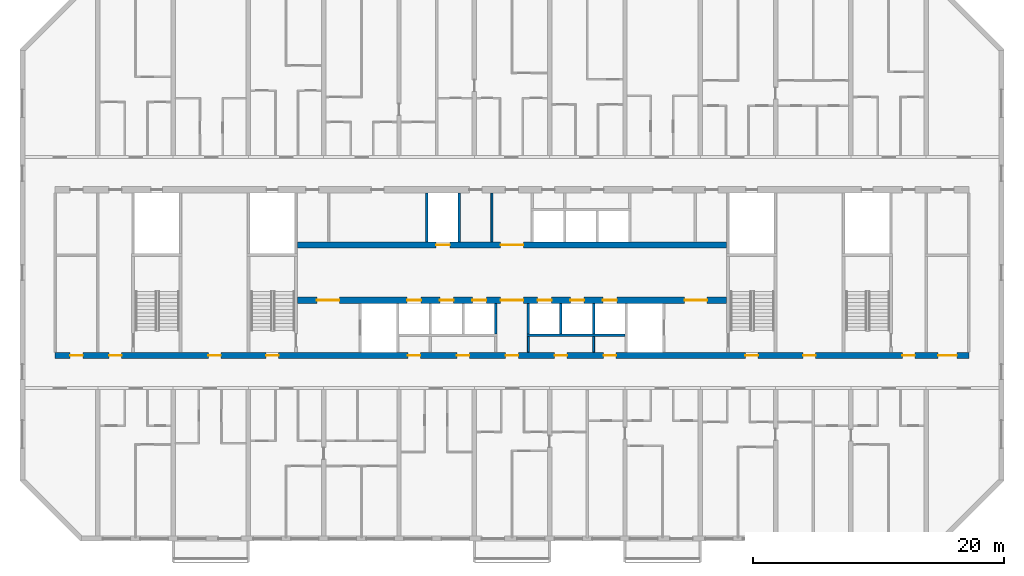
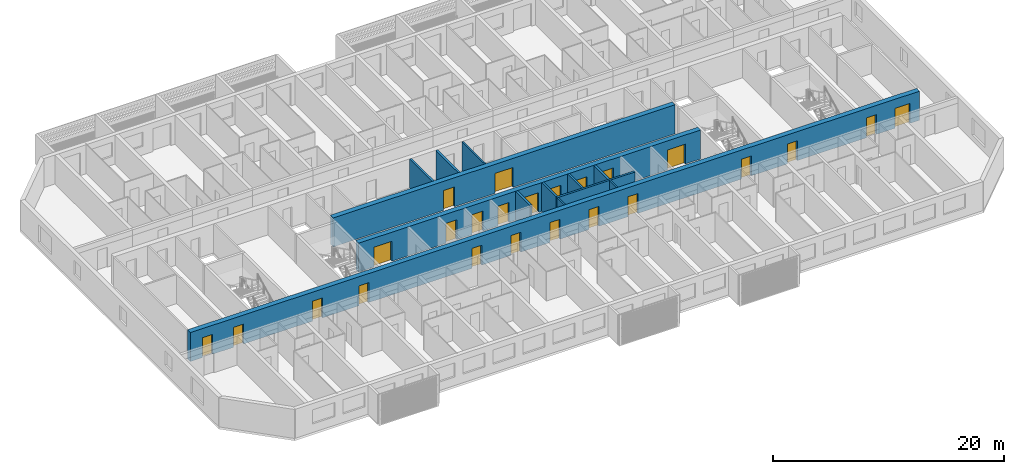
# One storey, part 7 of 24: 24 doors, 13 walls, 24 openings.
"""IFC4 building model written with IfcOpenShell, lengths in metres."""

from ifc_helpers import new_model, si_unit, direction, frame, frame_2d, origin, place, context, subcontext, project, spatial, rectangle, extrude, material, layer, layer_set, type_object, element, fill, save


model = new_model("IFC4")

# Units and contexts
model_context = context("Model", 3, precision=1e-05, world=origin(), true_north=direction((0.0, 1.0)))
body_context = subcontext(model_context, "Body", "Model", "MODEL_VIEW")
ifc_project = project(units=[si_unit("LENGTHUNIT", "METRE"), si_unit("AREAUNIT", "SQUARE_METRE"), si_unit("VOLUMEUNIT", "CUBIC_METRE"), si_unit("PLANEANGLEUNIT", "RADIAN"), si_unit("MASSUNIT", "GRAM", prefix="KILO")], contexts=[model_context])

# Site, building, storey
site_placement = place(None, origin())
site = spatial("IfcSite", under=ifc_project, at=site_placement, CompositionType="ELEMENT")
building_placement = place(site_placement, origin())
building = spatial("IfcBuilding", under=site, at=building_placement, Name="Poui Terraces", CompositionType="ELEMENT")
storey_placement = place(building_placement, frame((0.0, 0.0, 109.199951171875)))
storey = spatial("IfcBuildingStorey", under=building, at=storey_placement, Name="L30", CompositionType="ELEMENT", Elevation=109.199951171875)

# Wall, openings, doors
ifc_material_1 = material(Name="Concrete 65 MPa", Category="concrete")
ifc_layer_1 = layer(ifc_material_1, 0.5)
ifc_layer_set_1 = layer_set([ifc_layer_1], Name="Concrete 65 MPa")
wall_type_1 = type_object("IfcWallType", Name="CORE WALL 500 65 MPA", PredefinedType="SOLIDWALL", material=ifc_layer_set_1)
wall_1_placement = place(storey_placement, frame((33.925048828125, 19.0, 0.0), z_axis=(0.0, 0.0, 1.0), x_axis=(1.0, 0.0, 0.0)))
wall_1 = element("IfcWall", 1, at=wall_1_placement, inside=storey, type_object=wall_type_1, Name="CORE WALL", PredefinedType="SOLIDWALL", context=body_context, shape_type="SweptSolid", body=[
    extrude(rectangle(XDim=34.14990234375, YDim=0.5, at=frame_2d((17.074951171875, 0.0))), origin(), (0.0, 0.0, 1.0), 3.06005859375),
])
opening_1_placement = place(wall_1_placement, frame((16.175048828125, 0.0, 0.0)))
opening_1 = element("IfcOpeningElement", 2, at=opening_1_placement, cuts=wall_1, Name="Opening FDD60", PredefinedType="OPENING", context=body_context, shape_type="SweptSolid", body=[
    extrude(rectangle(XDim=1.800048828125, YDim=2.10009765625, at=frame_2d((0.89990234375, 1.050048828125))), frame((0.0, 0.260009765625, 0.0), z_axis=(0.0, -1.0, 0.0), x_axis=(1.0, 0.0, 0.0)), (0.0, 0.0, 1.0), 0.52001953125),
])
opening_2_placement = place(wall_1_placement, frame((1.52490234375, 0.0, 0.0)))
opening_2 = element("IfcOpeningElement", 3, at=opening_2_placement, cuts=wall_1, Name="Opening FDD60", PredefinedType="OPENING", context=body_context, shape_type="SweptSolid", body=[
    extrude(rectangle(XDim=1.800048828125, YDim=2.10009765625, at=frame_2d((0.89990234375, 1.050048828125))), frame((0.0, 0.260009765625, 0.0), z_axis=(0.0, -1.0, 0.0), x_axis=(1.0, 0.0, 0.0)), (0.0, 0.0, 1.0), 0.52001953125),
])
opening_3_placement = place(wall_1_placement, frame((8.72509765625, 0.0, 0.0)))
opening_3 = element("IfcOpeningElement", 4, at=opening_3_placement, cuts=wall_1, Name="Opening LD", PredefinedType="OPENING", context=body_context, shape_type="SweptSolid", body=[
    extrude(rectangle(XDim=1.10009765625, YDim=2.10009765625, at=frame_2d((0.550048828125, 1.050048828125))), frame((0.0, 0.260009765625, 0.0), z_axis=(0.0, -1.0, 0.0), x_axis=(1.0, 0.0, 0.0)), (0.0, 0.0, 1.0), 0.52001953125),
])
opening_4_placement = place(wall_1_placement, frame((11.324951171875, 0.0, 0.0)))
opening_4 = element("IfcOpeningElement", 5, at=opening_4_placement, cuts=wall_1, Name="Opening LD", PredefinedType="OPENING", context=body_context, shape_type="SweptSolid", body=[
    extrude(rectangle(XDim=1.10009765625, YDim=2.10009765625, at=frame_2d((0.550048828125, 1.050048828125))), frame((0.0, 0.260009765625, 0.0), z_axis=(0.0, -1.0, 0.0), x_axis=(1.0, 0.0, 0.0)), (0.0, 0.0, 1.0), 0.52001953125),
])
opening_5_placement = place(wall_1_placement, frame((13.925048828125, 0.0, 0.0)))
opening_5 = element("IfcOpeningElement", 6, at=opening_5_placement, cuts=wall_1, Name="Opening LD", PredefinedType="OPENING", context=body_context, shape_type="SweptSolid", body=[
    extrude(rectangle(XDim=1.10009765625, YDim=2.10009765625, at=frame_2d((0.550048828125, 1.050048828125))), frame((0.0, 0.260009765625, 0.0), z_axis=(0.0, -1.0, 0.0), x_axis=(1.0, 0.0, 0.0)), (0.0, 0.0, 1.0), 0.52001953125),
])
opening_6_placement = place(wall_1_placement, frame((19.125, 0.0, 0.0)))
opening_6 = element("IfcOpeningElement", 7, at=opening_6_placement, cuts=wall_1, Name="Opening LD", PredefinedType="OPENING", context=body_context, shape_type="SweptSolid", body=[
    extrude(rectangle(XDim=1.10009765625, YDim=2.10009765625, at=frame_2d((0.550048828125, 1.050048828125))), frame((0.0, 0.260009765625, 0.0), z_axis=(0.0, -1.0, 0.0), x_axis=(1.0, 0.0, 0.0)), (0.0, 0.0, 1.0), 0.52001953125),
])
opening_7_placement = place(wall_1_placement, frame((21.72509765625, 0.0, 0.0)))
opening_7 = element("IfcOpeningElement", 8, at=opening_7_placement, cuts=wall_1, Name="Opening LD", PredefinedType="OPENING", context=body_context, shape_type="SweptSolid", body=[
    extrude(rectangle(XDim=1.10009765625, YDim=2.10009765625, at=frame_2d((0.550048828125, 1.050048828125))), frame((0.0, 0.260009765625, 0.0), z_axis=(0.0, -1.0, 0.0), x_axis=(1.0, 0.0, 0.0)), (0.0, 0.0, 1.0), 0.52001953125),
])
opening_8_placement = place(wall_1_placement, frame((24.324951171875, 0.0, 0.0)))
opening_8 = element("IfcOpeningElement", 9, at=opening_8_placement, cuts=wall_1, Name="Opening LD", PredefinedType="OPENING", context=body_context, shape_type="SweptSolid", body=[
    extrude(rectangle(XDim=1.10009765625, YDim=2.10009765625, at=frame_2d((0.550048828125, 1.050048828125))), frame((0.0, 0.260009765625, 0.0), z_axis=(0.0, -1.0, 0.0), x_axis=(1.0, 0.0, 0.0)), (0.0, 0.0, 1.0), 0.52001953125),
])
opening_9_placement = place(wall_1_placement, frame((30.824951171875, 0.0, 0.0)))
opening_9 = element("IfcOpeningElement", 10, at=opening_9_placement, cuts=wall_1, Name="Opening FDD60", PredefinedType="OPENING", context=body_context, shape_type="SweptSolid", body=[
    extrude(rectangle(XDim=1.800048828125, YDim=2.10009765625, at=frame_2d((0.89990234375, 1.050048828125))), frame((0.0, 0.260009765625, 0.0), z_axis=(0.0, -1.0, 0.0), x_axis=(1.0, 0.0, 0.0)), (0.0, 0.0, 1.0), 0.52001953125),
])
ifc_material_2 = material(Name="Steel fire door", Category="steel")
door_type_1 = type_object("IfcDoorType", Name="DOUBLE LOBBY FIRE DOOR 1800 X 2100", OperationType="DOUBLE_DOOR_SINGLE_SWING", PredefinedType="DOOR", material=ifc_material_2)
door_1_placement = place(opening_1_placement, frame((1.800048828125, 0.0, 0.0), z_axis=(0.0, 0.0, 1.0), x_axis=(-1.0, 0.0, 0.0)))
door_1 = element("IfcDoor", 11, at=door_1_placement, inside=storey, type_object=door_type_1, Name="DOUBLE LOBBY FIRE DOOR 125", OperationType="DOUBLE_DOOR_SINGLE_SWING", OverallHeight=2.10009765625, OverallWidth=1.800048828125, PredefinedType="DOOR", context=body_context, shape_type="SweptSolid", body=[
    extrude(rectangle(XDim=1.800048828125, YDim=2.10009765625, at=frame_2d((0.89990234375, 1.050048828125))), frame((0.0, 0.02490234375, 0.0), z_axis=(0.0, -1.0, 0.0), x_axis=(1.0, 0.0, 0.0)), (0.0, 0.0, 1.0), 0.050048828125),
])
fill(opening_1, door_1)
door_2_placement = place(opening_2_placement, origin())
door_2 = element("IfcDoor", 12, at=door_2_placement, inside=storey, type_object=door_type_1, Name="DOUBLE LOBBY FIRE DOOR 126", OperationType="DOUBLE_DOOR_SINGLE_SWING", OverallHeight=2.10009765625, OverallWidth=1.800048828125, PredefinedType="DOOR", context=body_context, shape_type="SweptSolid", body=[
    extrude(rectangle(XDim=1.800048828125, YDim=2.10009765625, at=frame_2d((0.89990234375, 1.050048828125))), frame((0.0, 0.02490234375, 0.0), z_axis=(0.0, -1.0, 0.0), x_axis=(1.0, 0.0, 0.0)), (0.0, 0.0, 1.0), 0.050048828125),
])
fill(opening_2, door_2)
door_3_placement = place(opening_9_placement, origin())
door_3 = element("IfcDoor", 13, at=door_3_placement, inside=storey, type_object=door_type_1, Name="DOUBLE LOBBY FIRE DOOR 134", OperationType="DOUBLE_DOOR_SINGLE_SWING", OverallHeight=2.10009765625, OverallWidth=1.800048828125, PredefinedType="DOOR", context=body_context, shape_type="SweptSolid", body=[
    extrude(rectangle(XDim=1.800048828125, YDim=2.10009765625, at=frame_2d((0.89990234375, 1.050048828125))), frame((0.0, 0.02490234375, 0.0), z_axis=(0.0, -1.0, 0.0), x_axis=(1.0, 0.0, 0.0)), (0.0, 0.0, 1.0), 0.050048828125),
])
fill(opening_9, door_3)
ifc_material_3 = material(Name="Stainless steel sliding door", Category="steel")
door_type_2 = type_object("IfcDoorType", Name="LIFT LANDING DOOR 1100 X 2100", OperationType="DOUBLE_DOOR_SLIDING", PredefinedType="DOOR", material=ifc_material_3)
door_4_placement = place(opening_3_placement, origin())
door_4 = element("IfcDoor", 14, at=door_4_placement, inside=storey, type_object=door_type_2, Name="LANDING DOOR", OperationType="DOUBLE_DOOR_SLIDING", OverallHeight=2.10009765625, OverallWidth=1.10009765625, PredefinedType="DOOR", context=body_context, shape_type="SweptSolid", body=[
    extrude(rectangle(XDim=1.10009765625, YDim=2.10009765625, at=frame_2d((0.550048828125, 1.050048828125))), frame((0.0, 0.02490234375, 0.0), z_axis=(0.0, -1.0, 0.0), x_axis=(1.0, 0.0, 0.0)), (0.0, 0.0, 1.0), 0.050048828125),
])
fill(opening_3, door_4)
door_5_placement = place(opening_4_placement, origin())
door_5 = element("IfcDoor", 15, at=door_5_placement, inside=storey, type_object=door_type_2, Name="LANDING DOOR", OperationType="DOUBLE_DOOR_SLIDING", OverallHeight=2.10009765625, OverallWidth=1.10009765625, PredefinedType="DOOR", context=body_context, shape_type="SweptSolid", body=[
    extrude(rectangle(XDim=1.10009765625, YDim=2.10009765625, at=frame_2d((0.550048828125, 1.050048828125))), frame((0.0, 0.02490234375, 0.0), z_axis=(0.0, -1.0, 0.0), x_axis=(1.0, 0.0, 0.0)), (0.0, 0.0, 1.0), 0.050048828125),
])
fill(opening_4, door_5)
door_6_placement = place(opening_5_placement, origin())
door_6 = element("IfcDoor", 16, at=door_6_placement, inside=storey, type_object=door_type_2, Name="LANDING DOOR", OperationType="DOUBLE_DOOR_SLIDING", OverallHeight=2.10009765625, OverallWidth=1.10009765625, PredefinedType="DOOR", context=body_context, shape_type="SweptSolid", body=[
    extrude(rectangle(XDim=1.10009765625, YDim=2.10009765625, at=frame_2d((0.550048828125, 1.050048828125))), frame((0.0, 0.02490234375, 0.0), z_axis=(0.0, -1.0, 0.0), x_axis=(1.0, 0.0, 0.0)), (0.0, 0.0, 1.0), 0.050048828125),
])
fill(opening_5, door_6)
door_7_placement = place(opening_6_placement, origin())
door_7 = element("IfcDoor", 17, at=door_7_placement, inside=storey, type_object=door_type_2, Name="LANDING DOOR", OperationType="DOUBLE_DOOR_SLIDING", OverallHeight=2.10009765625, OverallWidth=1.10009765625, PredefinedType="DOOR", context=body_context, shape_type="SweptSolid", body=[
    extrude(rectangle(XDim=1.10009765625, YDim=2.10009765625, at=frame_2d((0.550048828125, 1.050048828125))), frame((0.0, 0.02490234375, 0.0), z_axis=(0.0, -1.0, 0.0), x_axis=(1.0, 0.0, 0.0)), (0.0, 0.0, 1.0), 0.050048828125),
])
fill(opening_6, door_7)
door_8_placement = place(opening_7_placement, origin())
door_8 = element("IfcDoor", 18, at=door_8_placement, inside=storey, type_object=door_type_2, Name="LANDING DOOR", OperationType="DOUBLE_DOOR_SLIDING", OverallHeight=2.10009765625, OverallWidth=1.10009765625, PredefinedType="DOOR", context=body_context, shape_type="SweptSolid", body=[
    extrude(rectangle(XDim=1.10009765625, YDim=2.10009765625, at=frame_2d((0.550048828125, 1.050048828125))), frame((0.0, 0.02490234375, 0.0), z_axis=(0.0, -1.0, 0.0), x_axis=(1.0, 0.0, 0.0)), (0.0, 0.0, 1.0), 0.050048828125),
])
fill(opening_7, door_8)
door_9_placement = place(opening_8_placement, origin())
door_9 = element("IfcDoor", 19, at=door_9_placement, inside=storey, type_object=door_type_2, Name="LANDING DOOR", OperationType="DOUBLE_DOOR_SLIDING", OverallHeight=2.10009765625, OverallWidth=1.10009765625, PredefinedType="DOOR", context=body_context, shape_type="SweptSolid", body=[
    extrude(rectangle(XDim=1.10009765625, YDim=2.10009765625, at=frame_2d((0.550048828125, 1.050048828125))), frame((0.0, 0.02490234375, 0.0), z_axis=(0.0, -1.0, 0.0), x_axis=(1.0, 0.0, 0.0)), (0.0, 0.0, 1.0), 0.050048828125),
])
fill(opening_8, door_9)

wall_2_placement = place(storey_placement, frame((33.925048828125, 23.39990234375, 0.0), z_axis=(0.0, 0.0, 1.0), x_axis=(1.0, 0.0, 0.0)))
wall_2 = element("IfcWall", 20, at=wall_2_placement, inside=storey, type_object=wall_type_1, Name="CORE WALL", PredefinedType="SOLIDWALL", context=body_context, shape_type="SweptSolid", body=[
    extrude(rectangle(XDim=34.14990234375, YDim=0.5, at=frame_2d((17.074951171875, 0.0))), origin(), (0.0, 0.0, 1.0), 3.06005859375),
])
opening_10_placement = place(wall_2_placement, frame((16.175048828125, 0.0, 0.0)))
opening_10 = element("IfcOpeningElement", 21, at=opening_10_placement, cuts=wall_2, Name="Opening FDD60", PredefinedType="OPENING", context=body_context, shape_type="SweptSolid", body=[
    extrude(rectangle(XDim=1.800048828125, YDim=2.10009765625, at=frame_2d((0.89990234375, 1.050048828125))), frame((0.0, 0.260009765625, 0.0), z_axis=(0.0, -1.0, 0.0), x_axis=(1.0, 0.0, 0.0)), (0.0, 0.0, 1.0), 0.52001953125),
])
opening_11_placement = place(wall_2_placement, frame((11.02490234375, 0.0, 0.0)))
opening_11 = element("IfcOpeningElement", 22, at=opening_11_placement, cuts=wall_2, Name="Opening LD", PredefinedType="OPENING", context=body_context, shape_type="SweptSolid", body=[
    extrude(rectangle(XDim=1.10009765625, YDim=2.10009765625, at=frame_2d((0.550048828125, 1.050048828125))), frame((0.0, 0.260009765625, 0.0), z_axis=(0.0, -1.0, 0.0), x_axis=(1.0, 0.0, 0.0)), (0.0, 0.0, 1.0), 0.52001953125),
])
door_10_placement = place(opening_10_placement, origin())
door_10 = element("IfcDoor", 23, at=door_10_placement, inside=storey, type_object=door_type_1, Name="DOUBLE LOBBY FIRE DOOR 124", OperationType="DOUBLE_DOOR_SINGLE_SWING", OverallHeight=2.10009765625, OverallWidth=1.800048828125, PredefinedType="DOOR", context=body_context, shape_type="SweptSolid", body=[
    extrude(rectangle(XDim=1.800048828125, YDim=2.10009765625, at=frame_2d((0.89990234375, 1.050048828125))), frame((0.0, 0.02490234375, 0.0), z_axis=(0.0, -1.0, 0.0), x_axis=(1.0, 0.0, 0.0)), (0.0, 0.0, 1.0), 0.050048828125),
])
fill(opening_10, door_10)
door_11_placement = place(opening_11_placement, origin())
door_11 = element("IfcDoor", 24, at=door_11_placement, inside=storey, type_object=door_type_2, Name="LANDING DOOR", OperationType="DOUBLE_DOOR_SLIDING", OverallHeight=2.10009765625, OverallWidth=1.10009765625, PredefinedType="DOOR", context=body_context, shape_type="SweptSolid", body=[
    extrude(rectangle(XDim=1.10009765625, YDim=2.10009765625, at=frame_2d((0.550048828125, 1.050048828125))), frame((0.0, 0.02490234375, 0.0), z_axis=(0.0, -1.0, 0.0), x_axis=(1.0, 0.0, 0.0)), (0.0, 0.0, 1.0), 0.050048828125),
])
fill(opening_11, door_11)

# Walls
ifc_material_4 = material(Name="Fire-rated plasterboard wall")
ifc_layer_2 = layer(ifc_material_4, 0.14990234375)
ifc_layer_set_2 = layer_set([ifc_layer_2], Name="Fire-rated plasterboard wall")
wall_type_2 = type_object("IfcWallType", Name="CORRIDOR WALL 150", PredefinedType="PARTITIONING", material=ifc_layer_set_2)
wall_3_placement = place(storey_placement, frame((49.39990234375, 23.659912109375, 0.0), z_axis=(0.0, 0.0, 1.0), x_axis=(0.0, 1.0, 0.0)))
element("IfcWall", 25, at=wall_3_placement, inside=storey, type_object=wall_type_2, Name="CORRIDOR WALL 150", PredefinedType="PARTITIONING", context=body_context, shape_type="SweptSolid", body=[
    extrude(rectangle(XDim=3.880126953125, YDim=0.14990234375, at=frame_2d((1.93994140625, 0.0))), origin(), (0.0, 0.0, 1.0), 3.06005859375),
])
wall_4_placement = place(storey_placement, frame((52.300048828125, 14.860107421875, 0.0), z_axis=(0.0, 0.0, 1.0), x_axis=(0.0, 1.0, 0.0)))
element("IfcWall", 26, at=wall_4_placement, inside=storey, type_object=wall_type_2, Name="CORRIDOR WALL 150", PredefinedType="PARTITIONING", context=body_context, shape_type="SweptSolid", body=[
    extrude(rectangle(XDim=1.239990234375, YDim=0.14990234375, at=frame_2d((0.6201171875, 0.0))), origin(), (0.0, 0.0, 1.0), 3.06005859375),
])
ifc_material_5 = material(Name="Plasterboard partition")
ifc_layer_3 = layer(ifc_material_5, 0.14990234375)
ifc_layer_set_3 = layer_set([ifc_layer_3], Name="Plasterboard partition")
wall_type_3 = type_object("IfcWallType", Name="PARTITION WALL 150", PredefinedType="PARTITIONING", material=ifc_layer_set_3)
wall_5_placement = place(storey_placement, frame((57.5, 14.860107421875, 0.0), z_axis=(0.0, 0.0, 1.0), x_axis=(0.0, 1.0, 0.0)))
element("IfcWall", 27, at=wall_5_placement, inside=storey, type_object=wall_type_3, Name="PARTITION WALL 150", PredefinedType="PARTITIONING", context=body_context, shape_type="SweptSolid", body=[
    extrude(rectangle(XDim=1.239990234375, YDim=0.14990234375, at=frame_2d((0.6201171875, 0.0))), origin(), (0.0, 0.0, 1.0), 3.06005859375),
])
ifc_material_6 = material(Name="Fire-rated masonry shaft wall", Category="masonry")
ifc_layer_4 = layer(ifc_material_6, 0.199951171875)
ifc_layer_set_4 = layer_set([ifc_layer_4], Name="Fire-rated masonry shaft wall")
wall_type_4 = type_object("IfcWallType", Name="SHAFT WALL 200", PredefinedType="PARTITIONING", material=ifc_layer_set_4)
wall_6_placement = place(storey_placement, frame((52.199951171875, 16.199951171875, 0.0), z_axis=(0.0, 0.0, 1.0), x_axis=(1.0, 0.0, 0.0)))
element("IfcWall", 28, at=wall_6_placement, inside=storey, type_object=wall_type_4, Name="SHAFT WALL 200", PredefinedType="PARTITIONING", context=body_context, shape_type="SweptSolid", body=[
    extrude(rectangle(XDim=7.800048828125, YDim=0.199951171875, at=frame_2d((3.89990234375, 0.0))), origin(), (0.0, 0.0, 1.0), 3.06005859375),
])
for number, where, z_axis, x_axis, name in (
    (29, (44.199951171875, 23.659912109375, 0.0), (0.0, 0.0, 1.0), (0.0, 1.0, 0.0), "SHAFT WALL 200"),
    (30, (46.800048828125, 23.659912109375, 0.0), (0.0, 0.0, 1.0), (0.0, 1.0, 0.0), "SHAFT WALL 200"),
):
    element("IfcWall", number, at=place(storey_placement, frame(where, z_axis=z_axis, x_axis=x_axis)), inside=storey, type_object=wall_type_4, Name=name, PredefinedType="PARTITIONING", context=body_context, shape_type="SweptSolid", body=[
        extrude(rectangle(XDim=3.880126953125, YDim=0.199951171875, at=frame_2d((1.93994140625, 0.0))), origin(), (0.0, 0.0, 1.0), 3.06005859375),
    ])
for number, where, z_axis, x_axis, name in (
    (31, (49.699951171875, 16.300048828125, 0.0), (0.0, 0.0, 1.0), (0.0, 1.0, 0.0), "SHAFT WALL 200"),
    (32, (52.300048828125, 16.300048828125, 0.0), (0.0, 0.0, 1.0), (0.0, 1.0, 0.0), "SHAFT WALL 200"),
    (33, (54.89990234375, 16.300048828125, 0.0), (0.0, 0.0, 1.0), (0.0, 1.0, 0.0), "SHAFT WALL 200"),
    (34, (57.5, 16.300048828125, 0.0), (0.0, 0.0, 1.0), (0.0, 1.0, 0.0), "SHAFT WALL 200"),
):
    element("IfcWall", number, at=place(storey_placement, frame(where, z_axis=z_axis, x_axis=x_axis)), inside=storey, type_object=wall_type_4, Name=name, PredefinedType="PARTITIONING", context=body_context, shape_type="SweptSolid", body=[
        extrude(rectangle(XDim=2.43994140625, YDim=0.199951171875, at=frame_2d((1.219970703125, 0.0))), origin(), (0.0, 0.0, 1.0), 3.06005859375),
    ])

# Wall, openings, doors
ifc_layer_5 = layer(ifc_material_1, 0.5)
ifc_layer_set_5 = layer_set([ifc_layer_5], Name="Concrete 65 MPa")
wall_type_5 = type_object("IfcWallType", Name="SPINE WALL 500 65 MPA", PredefinedType="SOLIDWALL", material=ifc_layer_set_5)
wall_7_placement = place(storey_placement, frame((14.60009765625, 14.60009765625, 0.0), z_axis=(0.0, 0.0, 1.0), x_axis=(1.0, 0.0, 0.0)))
wall_7 = element("IfcWall", 35, at=wall_7_placement, inside=storey, type_object=wall_type_5, Name="SPINE WALL", PredefinedType="SOLIDWALL", context=body_context, shape_type="SweptSolid", body=[
    extrude(rectangle(XDim=72.7998046875, YDim=0.5, at=frame_2d((36.39990234375, 0.0))), origin(), (0.0, 0.0, 1.0), 3.06005859375),
])
opening_12_placement = place(wall_7_placement, frame((1.199951171875, 0.0, 0.0)))
opening_12 = element("IfcOpeningElement", 36, at=opening_12_placement, cuts=wall_7, Name="Opening D100", PredefinedType="OPENING", context=body_context, shape_type="SweptSolid", body=[
    extrude(rectangle(XDim=1.0, YDim=2.10009765625, at=frame_2d((0.5, 1.050048828125))), frame((0.0, 0.260009765625, 0.0), z_axis=(0.0, -1.0, 0.0), x_axis=(1.0, 0.0, 0.0)), (0.0, 0.0, 1.0), 0.52001953125),
])
opening_13_placement = place(wall_7_placement, frame((4.300048828125, 0.0, 0.0)))
opening_13 = element("IfcOpeningElement", 37, at=opening_13_placement, cuts=wall_7, Name="Opening FDL", PredefinedType="OPENING", context=body_context, shape_type="SweptSolid", body=[
    extrude(rectangle(XDim=1.0, YDim=2.10009765625, at=frame_2d((0.5, 1.050048828125))), frame((0.0, 0.260009765625, 0.0), z_axis=(0.0, -1.0, 0.0), x_axis=(1.0, 0.0, 0.0)), (0.0, 0.0, 1.0), 0.52001953125),
])
opening_14_placement = place(wall_7_placement, frame((12.199951171875, 0.0, 0.0)))
opening_14 = element("IfcOpeningElement", 38, at=opening_14_placement, cuts=wall_7, Name="Opening D100", PredefinedType="OPENING", context=body_context, shape_type="SweptSolid", body=[
    extrude(rectangle(XDim=1.0, YDim=2.10009765625, at=frame_2d((0.5, 1.050048828125))), frame((0.0, 0.260009765625, 0.0), z_axis=(0.0, -1.0, 0.0), x_axis=(1.0, 0.0, 0.0)), (0.0, 0.0, 1.0), 0.52001953125),
])
opening_15_placement = place(wall_7_placement, frame((16.800048828125, 0.0, 0.0)))
opening_15 = element("IfcOpeningElement", 39, at=opening_15_placement, cuts=wall_7, Name="Opening FD60S", PredefinedType="OPENING", context=body_context, shape_type="SweptSolid", body=[
    extrude(rectangle(XDim=1.0, YDim=2.10009765625, at=frame_2d((0.5, 1.050048828125))), frame((0.0, 0.260009765625, 0.0), z_axis=(0.0, -1.0, 0.0), x_axis=(1.0, 0.0, 0.0)), (0.0, 0.0, 1.0), 0.52001953125),
])
opening_16_placement = place(wall_7_placement, frame((28.10009765625, 0.0, 0.0)))
opening_16 = element("IfcOpeningElement", 40, at=opening_16_placement, cuts=wall_7, Name="Opening FD60", PredefinedType="OPENING", context=body_context, shape_type="SweptSolid", body=[
    extrude(rectangle(XDim=1.0, YDim=2.10009765625, at=frame_2d((0.5, 1.050048828125))), frame((0.0, 0.260009765625, 0.0), z_axis=(0.0, -1.0, 0.0), x_axis=(1.0, 0.0, 0.0)), (0.0, 0.0, 1.0), 0.52001953125),
])
opening_17_placement = place(wall_7_placement, frame((32.0, 0.0, 0.0)))
opening_17 = element("IfcOpeningElement", 41, at=opening_17_placement, cuts=wall_7, Name="Opening FD60", PredefinedType="OPENING", context=body_context, shape_type="SweptSolid", body=[
    extrude(rectangle(XDim=1.0, YDim=2.10009765625, at=frame_2d((0.5, 1.050048828125))), frame((0.0, 0.260009765625, 0.0), z_axis=(0.0, -1.0, 0.0), x_axis=(1.0, 0.0, 0.0)), (0.0, 0.0, 1.0), 0.52001953125),
])
opening_18_placement = place(wall_7_placement, frame((35.89990234375, 0.0, 0.0)))
opening_18 = element("IfcOpeningElement", 42, at=opening_18_placement, cuts=wall_7, Name="Opening FDL", PredefinedType="OPENING", context=body_context, shape_type="SweptSolid", body=[
    extrude(rectangle(XDim=1.0, YDim=2.10009765625, at=frame_2d((0.5, 1.050048828125))), frame((0.0, 0.260009765625, 0.0), z_axis=(0.0, -1.0, 0.0), x_axis=(1.0, 0.0, 0.0)), (0.0, 0.0, 1.0), 0.52001953125),
])
opening_19_placement = place(wall_7_placement, frame((39.800048828125, 0.0, 0.0)))
opening_19 = element("IfcOpeningElement", 43, at=opening_19_placement, cuts=wall_7, Name="Opening FD60", PredefinedType="OPENING", context=body_context, shape_type="SweptSolid", body=[
    extrude(rectangle(XDim=1.0, YDim=2.10009765625, at=frame_2d((0.5, 1.050048828125))), frame((0.0, 0.260009765625, 0.0), z_axis=(0.0, -1.0, 0.0), x_axis=(1.0, 0.0, 0.0)), (0.0, 0.0, 1.0), 0.52001953125),
])
opening_20_placement = place(wall_7_placement, frame((43.699951171875, 0.0, 0.0)))
opening_20 = element("IfcOpeningElement", 44, at=opening_20_placement, cuts=wall_7, Name="Opening FD60", PredefinedType="OPENING", context=body_context, shape_type="SweptSolid", body=[
    extrude(rectangle(XDim=1.0, YDim=2.10009765625, at=frame_2d((0.5, 1.050048828125))), frame((0.0, 0.260009765625, 0.0), z_axis=(0.0, -1.0, 0.0), x_axis=(1.0, 0.0, 0.0)), (0.0, 0.0, 1.0), 0.52001953125),
])
opening_21_placement = place(wall_7_placement, frame((55.0, 0.0, 0.0)))
opening_21 = element("IfcOpeningElement", 45, at=opening_21_placement, cuts=wall_7, Name="Opening FD60S", PredefinedType="OPENING", context=body_context, shape_type="SweptSolid", body=[
    extrude(rectangle(XDim=1.0, YDim=2.10009765625, at=frame_2d((0.5, 1.050048828125))), frame((0.0, 0.260009765625, 0.0), z_axis=(0.0, -1.0, 0.0), x_axis=(1.0, 0.0, 0.0)), (0.0, 0.0, 1.0), 0.52001953125),
])
opening_22_placement = place(wall_7_placement, frame((59.60009765625, 0.0, 0.0)))
opening_22 = element("IfcOpeningElement", 46, at=opening_22_placement, cuts=wall_7, Name="Opening D100", PredefinedType="OPENING", context=body_context, shape_type="SweptSolid", body=[
    extrude(rectangle(XDim=1.0, YDim=2.10009765625, at=frame_2d((0.5, 1.050048828125))), frame((0.0, 0.260009765625, 0.0), z_axis=(0.0, -1.0, 0.0), x_axis=(1.0, 0.0, 0.0)), (0.0, 0.0, 1.0), 0.52001953125),
])
opening_23_placement = place(wall_7_placement, frame((67.5, 0.0, 0.0)))
opening_23 = element("IfcOpeningElement", 47, at=opening_23_placement, cuts=wall_7, Name="Opening FDL", PredefinedType="OPENING", context=body_context, shape_type="SweptSolid", body=[
    extrude(rectangle(XDim=1.0, YDim=2.10009765625, at=frame_2d((0.5, 1.050048828125))), frame((0.0, 0.260009765625, 0.0), z_axis=(0.0, -1.0, 0.0), x_axis=(1.0, 0.0, 0.0)), (0.0, 0.0, 1.0), 0.52001953125),
])
opening_24_placement = place(wall_7_placement, frame((70.35009765625, 0.0, 0.0)))
opening_24 = element("IfcOpeningElement", 48, at=opening_24_placement, cuts=wall_7, Name="Opening FDP", PredefinedType="OPENING", context=body_context, shape_type="SweptSolid", body=[
    extrude(rectangle(XDim=1.5, YDim=2.10009765625, at=frame_2d((0.75, 1.050048828125))), frame((0.0, 0.260009765625, 0.0), z_axis=(0.0, -1.0, 0.0), x_axis=(1.0, 0.0, 0.0)), (0.0, 0.0, 1.0), 0.52001953125),
])
ifc_material_7 = material(Name="Solid core timber door", Category="wood")
door_type_3 = type_object("IfcDoorType", Name="ACCESSIBLE INTERNAL DOOR 1000 X 2100", OperationType="NOTDEFINED", PredefinedType="DOOR", material=ifc_material_7)
door_12_placement = place(opening_12_placement, frame((1.0, 0.0, 0.0), z_axis=(0.0, 0.0, 1.0), x_axis=(-1.0, 0.0, 0.0)))
door_12 = element("IfcDoor", 49, at=door_12_placement, inside=storey, type_object=door_type_3, Name="ACCESSIBLE INTERNAL DOOR 017", OperationType="SINGLE_SWING_RIGHT", OverallHeight=2.10009765625, OverallWidth=1.0, PredefinedType="DOOR", context=body_context, shape_type="SweptSolid", body=[
    extrude(rectangle(XDim=1.0, YDim=2.10009765625, at=frame_2d((0.5, 1.050048828125))), frame((0.0, 0.02490234375, 0.0), z_axis=(0.0, -1.0, 0.0), x_axis=(1.0, 0.0, 0.0)), (0.0, 0.0, 1.0), 0.050048828125),
])
fill(opening_12, door_12)
door_13_placement = place(opening_14_placement, frame((1.0, 0.0, 0.0), z_axis=(0.0, 0.0, 1.0), x_axis=(-1.0, 0.0, 0.0)))
door_13 = element("IfcDoor", 50, at=door_13_placement, inside=storey, type_object=door_type_3, Name="ACCESSIBLE INTERNAL DOOR 019", OperationType="SINGLE_SWING_RIGHT", OverallHeight=2.10009765625, OverallWidth=1.0, PredefinedType="DOOR", context=body_context, shape_type="SweptSolid", body=[
    extrude(rectangle(XDim=1.0, YDim=2.10009765625, at=frame_2d((0.5, 1.050048828125))), frame((0.0, 0.02490234375, 0.0), z_axis=(0.0, -1.0, 0.0), x_axis=(1.0, 0.0, 0.0)), (0.0, 0.0, 1.0), 0.050048828125),
])
fill(opening_14, door_13)
door_14_placement = place(opening_22_placement, frame((1.0, 0.0, 0.0), z_axis=(0.0, 0.0, 1.0), x_axis=(-1.0, 0.0, 0.0)))
door_14 = element("IfcDoor", 51, at=door_14_placement, inside=storey, type_object=door_type_3, Name="ACCESSIBLE INTERNAL DOOR 027", OperationType="SINGLE_SWING_LEFT", OverallHeight=2.10009765625, OverallWidth=1.0, PredefinedType="DOOR", context=body_context, shape_type="SweptSolid", body=[
    extrude(rectangle(XDim=1.0, YDim=2.10009765625, at=frame_2d((0.5, 1.050048828125))), frame((0.0, 0.02490234375, 0.0), z_axis=(0.0, -1.0, 0.0), x_axis=(1.0, 0.0, 0.0)), (0.0, 0.0, 1.0), 0.050048828125),
])
fill(opening_22, door_14)
door_type_4 = type_object("IfcDoorType", Name="LOBBY FIRE DOOR 1000 X 2100", OperationType="NOTDEFINED", PredefinedType="DOOR", material=ifc_material_2)
door_15_placement = place(opening_13_placement, frame((1.0, 0.0, 0.0), z_axis=(0.0, 0.0, 1.0), x_axis=(-1.0, 0.0, 0.0)))
door_15 = element("IfcDoor", 52, at=door_15_placement, inside=storey, type_object=door_type_4, Name="LOBBY FIRE DOOR 018", OperationType="SINGLE_SWING_RIGHT", OverallHeight=2.10009765625, OverallWidth=1.0, PredefinedType="DOOR", context=body_context, shape_type="SweptSolid", body=[
    extrude(rectangle(XDim=1.0, YDim=2.10009765625, at=frame_2d((0.5, 1.050048828125))), frame((0.0, 0.02490234375, 0.0), z_axis=(0.0, -1.0, 0.0), x_axis=(1.0, 0.0, 0.0)), (0.0, 0.0, 1.0), 0.050048828125),
])
fill(opening_13, door_15)
door_16_placement = place(opening_18_placement, frame((1.0, 0.0, 0.0), z_axis=(0.0, 0.0, 1.0), x_axis=(-1.0, 0.0, 0.0)))
door_16 = element("IfcDoor", 53, at=door_16_placement, inside=storey, type_object=door_type_4, Name="LOBBY FIRE DOOR 023", OperationType="SINGLE_SWING_LEFT", OverallHeight=2.10009765625, OverallWidth=1.0, PredefinedType="DOOR", context=body_context, shape_type="SweptSolid", body=[
    extrude(rectangle(XDim=1.0, YDim=2.10009765625, at=frame_2d((0.5, 1.050048828125))), frame((0.0, 0.02490234375, 0.0), z_axis=(0.0, -1.0, 0.0), x_axis=(1.0, 0.0, 0.0)), (0.0, 0.0, 1.0), 0.050048828125),
])
fill(opening_18, door_16)
door_17_placement = place(opening_23_placement, frame((1.0, 0.0, 0.0), z_axis=(0.0, 0.0, 1.0), x_axis=(-1.0, 0.0, 0.0)))
door_17 = element("IfcDoor", 54, at=door_17_placement, inside=storey, type_object=door_type_4, Name="LOBBY FIRE DOOR 028", OperationType="SINGLE_SWING_LEFT", OverallHeight=2.10009765625, OverallWidth=1.0, PredefinedType="DOOR", context=body_context, shape_type="SweptSolid", body=[
    extrude(rectangle(XDim=1.0, YDim=2.10009765625, at=frame_2d((0.5, 1.050048828125))), frame((0.0, 0.02490234375, 0.0), z_axis=(0.0, -1.0, 0.0), x_axis=(1.0, 0.0, 0.0)), (0.0, 0.0, 1.0), 0.050048828125),
])
fill(opening_23, door_17)
door_type_5 = type_object("IfcDoorType", Name="PLANT ROOM DOOR PAIR 1500 X 2100", OperationType="DOUBLE_DOOR_SINGLE_SWING", PredefinedType="DOOR", material=ifc_material_2)
door_18_placement = place(opening_24_placement, frame((1.5, 0.0, 0.0), z_axis=(0.0, 0.0, 1.0), x_axis=(-1.0, 0.0, 0.0)))
door_18 = element("IfcDoor", 55, at=door_18_placement, inside=storey, type_object=door_type_5, Name="PLANT ROOM DOOR PAIR 029", OperationType="DOUBLE_DOOR_SINGLE_SWING", OverallHeight=2.10009765625, OverallWidth=1.5, PredefinedType="DOOR", context=body_context, shape_type="SweptSolid", body=[
    extrude(rectangle(XDim=1.5, YDim=2.10009765625, at=frame_2d((0.75, 1.050048828125))), frame((0.0, 0.02490234375, 0.0), z_axis=(0.0, -1.0, 0.0), x_axis=(1.0, 0.0, 0.0)), (0.0, 0.0, 1.0), 0.050048828125),
])
fill(opening_24, door_18)
door_type_6 = type_object("IfcDoorType", Name="SERVICE ROOM FIRE DOOR 1000 X 2100", OperationType="NOTDEFINED", PredefinedType="DOOR", material=ifc_material_2)
door_19_placement = place(opening_16_placement, frame((1.0, 0.0, 0.0), z_axis=(0.0, 0.0, 1.0), x_axis=(-1.0, 0.0, 0.0)))
door_19 = element("IfcDoor", 56, at=door_19_placement, inside=storey, type_object=door_type_6, Name="SERVICE ROOM FIRE DOOR 021", OperationType="SINGLE_SWING_LEFT", OverallHeight=2.10009765625, OverallWidth=1.0, PredefinedType="DOOR", context=body_context, shape_type="SweptSolid", body=[
    extrude(rectangle(XDim=1.0, YDim=2.10009765625, at=frame_2d((0.5, 1.050048828125))), frame((0.0, 0.02490234375, 0.0), z_axis=(0.0, -1.0, 0.0), x_axis=(1.0, 0.0, 0.0)), (0.0, 0.0, 1.0), 0.050048828125),
])
fill(opening_16, door_19)
door_20_placement = place(opening_17_placement, frame((1.0, 0.0, 0.0), z_axis=(0.0, 0.0, 1.0), x_axis=(-1.0, 0.0, 0.0)))
door_20 = element("IfcDoor", 57, at=door_20_placement, inside=storey, type_object=door_type_6, Name="SERVICE ROOM FIRE DOOR 022", OperationType="SINGLE_SWING_RIGHT", OverallHeight=2.10009765625, OverallWidth=1.0, PredefinedType="DOOR", context=body_context, shape_type="SweptSolid", body=[
    extrude(rectangle(XDim=1.0, YDim=2.10009765625, at=frame_2d((0.5, 1.050048828125))), frame((0.0, 0.02490234375, 0.0), z_axis=(0.0, -1.0, 0.0), x_axis=(1.0, 0.0, 0.0)), (0.0, 0.0, 1.0), 0.050048828125),
])
fill(opening_17, door_20)
door_21_placement = place(opening_19_placement, frame((1.0, 0.0, 0.0), z_axis=(0.0, 0.0, 1.0), x_axis=(-1.0, 0.0, 0.0)))
door_21 = element("IfcDoor", 58, at=door_21_placement, inside=storey, type_object=door_type_6, Name="SERVICE ROOM FIRE DOOR 024", OperationType="SINGLE_SWING_LEFT", OverallHeight=2.10009765625, OverallWidth=1.0, PredefinedType="DOOR", context=body_context, shape_type="SweptSolid", body=[
    extrude(rectangle(XDim=1.0, YDim=2.10009765625, at=frame_2d((0.5, 1.050048828125))), frame((0.0, 0.02490234375, 0.0), z_axis=(0.0, -1.0, 0.0), x_axis=(1.0, 0.0, 0.0)), (0.0, 0.0, 1.0), 0.050048828125),
])
fill(opening_19, door_21)
door_22_placement = place(opening_20_placement, frame((1.0, 0.0, 0.0), z_axis=(0.0, 0.0, 1.0), x_axis=(-1.0, 0.0, 0.0)))
door_22 = element("IfcDoor", 59, at=door_22_placement, inside=storey, type_object=door_type_6, Name="SERVICE ROOM FIRE DOOR 025", OperationType="SINGLE_SWING_RIGHT", OverallHeight=2.10009765625, OverallWidth=1.0, PredefinedType="DOOR", context=body_context, shape_type="SweptSolid", body=[
    extrude(rectangle(XDim=1.0, YDim=2.10009765625, at=frame_2d((0.5, 1.050048828125))), frame((0.0, 0.02490234375, 0.0), z_axis=(0.0, -1.0, 0.0), x_axis=(1.0, 0.0, 0.0)), (0.0, 0.0, 1.0), 0.050048828125),
])
fill(opening_20, door_22)
door_type_7 = type_object("IfcDoorType", Name="STAIR DOOR 1000 X 2100", OperationType="NOTDEFINED", PredefinedType="DOOR", material=ifc_material_2)
door_23_placement = place(opening_15_placement, origin())
door_23 = element("IfcDoor", 60, at=door_23_placement, inside=storey, type_object=door_type_7, Name="STAIR DOOR 020", OperationType="SINGLE_SWING_RIGHT", OverallHeight=2.10009765625, OverallWidth=1.0, PredefinedType="DOOR", context=body_context, shape_type="SweptSolid", body=[
    extrude(rectangle(XDim=1.0, YDim=2.10009765625, at=frame_2d((0.5, 1.050048828125))), frame((0.0, 0.02490234375, 0.0), z_axis=(0.0, -1.0, 0.0), x_axis=(1.0, 0.0, 0.0)), (0.0, 0.0, 1.0), 0.050048828125),
])
fill(opening_15, door_23)
door_24_placement = place(opening_21_placement, origin())
door_24 = element("IfcDoor", 61, at=door_24_placement, inside=storey, type_object=door_type_7, Name="STAIR DOOR 026", OperationType="SINGLE_SWING_RIGHT", OverallHeight=2.10009765625, OverallWidth=1.0, PredefinedType="DOOR", context=body_context, shape_type="SweptSolid", body=[
    extrude(rectangle(XDim=1.0, YDim=2.10009765625, at=frame_2d((0.5, 1.050048828125))), frame((0.0, 0.02490234375, 0.0), z_axis=(0.0, -1.0, 0.0), x_axis=(1.0, 0.0, 0.0)), (0.0, 0.0, 1.0), 0.050048828125),
])
fill(opening_21, door_24)

save(model, "model.ifc")
